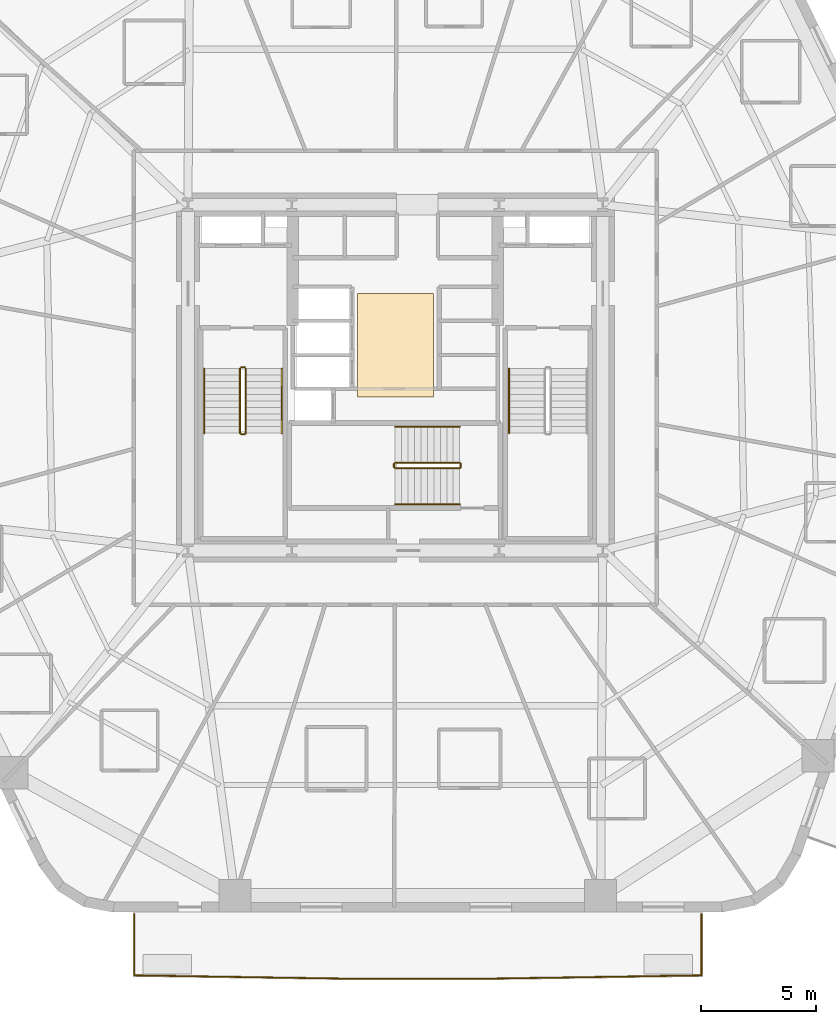
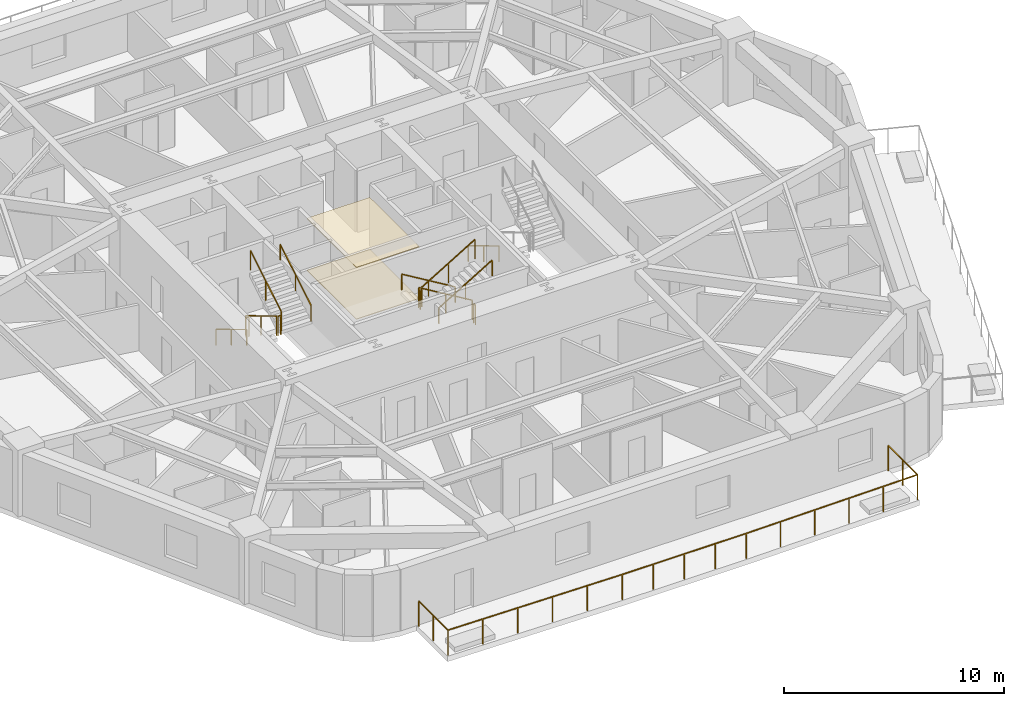
# One storey, part 9 of 11: 14 railings, 2 coverings.
"""IFC4 building model written with IfcOpenShell, lengths in metres."""

from ifc_helpers import new_model, si_unit, direction, frame, origin, origin_2d, place, context, subcontext, project, spatial, polyline, rectangle, outline, extrude, material, layer, layer_set, type_object, element, save


model = new_model("IFC4")

# Units and contexts
model_context = context("Model", 3, precision=1e-05, world=origin(), true_north=direction((0.0, 1.0)))
body_context = subcontext(model_context, "Body", "Model", "MODEL_VIEW")
ifc_project = project(units=[si_unit("LENGTHUNIT", "METRE"), si_unit("AREAUNIT", "SQUARE_METRE"), si_unit("VOLUMEUNIT", "CUBIC_METRE"), si_unit("PLANEANGLEUNIT", "RADIAN"), si_unit("MASSUNIT", "GRAM", prefix="KILO")], contexts=[model_context])

# Site, building, storey
site_placement = place(None, origin())
site = spatial("IfcSite", under=ifc_project, at=site_placement, CompositionType="ELEMENT")
building_placement = place(site_placement, origin())
building = spatial("IfcBuilding", under=site, at=building_placement, Name="Kilnhurst Terrace Hotel", CompositionType="ELEMENT")
storey_placement = place(building_placement, frame((0.0, 0.0, 34.199951171875)))
storey = spatial("IfcBuildingStorey", under=building, at=storey_placement, Name="L06", CompositionType="ELEMENT", Elevation=34.199951171875)

# Coverings
ifc_material_1 = material(Name="Perforated Micro-Acoustic Gypsum and Mineral Wool Ceiling")
ifc_layer_1 = layer(ifc_material_1, 0.050048828125, Name="Perforated Micro-Acoustic Gypsum and Mineral Wool Ceiling")
ifc_layer_set_1 = layer_set([ifc_layer_1], Name="Perforated Micro-Acoustic Gypsum and Mineral Wool Ceiling")
covering_type_1 = type_object("IfcCoveringType", Name="COV-CLG-AC60", PredefinedType="CEILING", material=ifc_layer_set_1)
covering_1_placement = place(storey_placement, frame((0.0, 0.0, 2.85009765625)))
element("IfcCovering", 1, at=covering_1_placement, inside=storey, type_object=covering_type_1, Name="L06 Lift Lobby Suspended Acoustic Ceiling", PredefinedType="CEILING", context=body_context, shape_type="SweptSolid", body=[
    extrude(outline(polyline([(-1.64990234375, -0.85009765625), (1.64990234375, -0.85009765625), (1.64990234375, 3.64990234375), (-1.64990234375, 3.64990234375), (-1.64990234375, -0.85009765625)])), origin(), (0.0, 0.0, 1.0), 0.050048828125),
])
ifc_material_2 = material(Name="Honed Texas Cream Limestone Tile Flooring", Category="masonry")
ifc_layer_2 = layer(ifc_material_2, 0.030029296875, Name="Honed Texas Cream Limestone Tile Flooring")
ifc_layer_set_2 = layer_set([ifc_layer_2], Name="Honed Texas Cream Limestone Tile Flooring")
covering_type_2 = type_object("IfcCoveringType", Name="COV-FLR-STN30", PredefinedType="FLOORING", material=ifc_layer_set_2)
covering_2_placement = place(storey_placement, origin())
element("IfcCovering", 2, at=covering_2_placement, inside=storey, type_object=covering_type_2, Name="L06 Lift Lobby Honed Limestone Flooring", PredefinedType="FLOORING", context=body_context, shape_type="SweptSolid", body=[
    extrude(outline(polyline([(-1.64990234375, -0.85009765625), (1.64990234375, -0.85009765625), (1.64990234375, 3.64990234375), (-1.64990234375, 3.64990234375), (-1.64990234375, -0.85009765625)])), origin(), (0.0, 0.0, 1.0), 0.030029296875),
])

# Railings
ifc_material_3 = material(Name="Laminated SentryGlas and Stainless Steel AISI 316L Balustrade", Category="steel")
ifc_layer_3 = layer(ifc_material_3, 0.070068359375, Name="Laminated SentryGlas and Stainless Steel AISI 316L Balustrade")
ifc_layer_set_3 = layer_set([ifc_layer_3], Name="Laminated SentryGlas and Stainless Steel AISI 316L Balustrade")
railing_type_1 = type_object("IfcRailingType", Name="RLG-BAL-1420", PredefinedType="BALUSTRADE", material=ifc_layer_set_3)
railing_1_placement = place(storey_placement, frame((13.281494140625, -23.280029296875, 0.0)))
element("IfcRailing", 3, at=railing_1_placement, inside=storey, type_object=railing_type_1, Name="L06 Exterior Terrace Guardrail BAL-L1A.1", PredefinedType="BALUSTRADE", context=body_context, shape_type="SweptSolid", body=[
    extrude(rectangle(XDim=0.048095703125, YDim=0.048095703125, at=origin_2d()), frame((0.0, 0.0, 1.39599609375), z_axis=(0.0, -1.0, 0.0), x_axis=(1.0, 0.0, 0.0)), (0.0, 0.0, 1.0), 2.660888671875),
    extrude(rectangle(XDim=0.048095703125, YDim=0.048095703125, at=origin_2d()), frame((0.0, -2.660888671875, 1.39599609375), z_axis=(-0.999881869157, -0.015370352358, 0.0), x_axis=(0.015370352358, -0.999881869157, 0.0)), (0.0, 0.0, 1.0), 9.0537109375),
    extrude(rectangle(XDim=0.048095703125, YDim=0.048095703125, at=origin_2d()), frame((-9.052734375, -2.800048828125, 1.39599609375), z_axis=(-1.0, 0.0, 0.0), x_axis=(0.0, -1.0, 0.0)), (0.0, 0.0, 1.0), 6.508056640625),
    extrude(rectangle(XDim=0.048095703125, YDim=0.048095703125, at=origin_2d()), frame((-15.560791015625, -2.800048828125, 1.39599609375), z_axis=(-0.999881869157, 0.015370352358, 0.0), x_axis=(-0.015370352358, -0.999881869157, 0.0)), (0.0, 0.0, 1.0), 9.0537109375),
    extrude(rectangle(XDim=0.048095703125, YDim=0.048095703125, at=origin_2d()), frame((-24.613525390625, -2.660888671875, 1.39599609375), z_axis=(0.0, 1.0, 0.0), x_axis=(-1.0, 0.0, 0.0)), (0.0, 0.0, 1.0), 2.660888671875),
    extrude(rectangle(XDim=0.0419921875, YDim=0.0419921875, at=origin_2d()), origin(), (0.0, 0.0, 1.0), 1.371826171875),
    extrude(rectangle(XDim=0.0419921875, YDim=0.0419921875, at=origin_2d()), frame((0.0, -1.33056640625, 0.0)), (0.0, 0.0, 1.0), 1.371826171875),
    extrude(rectangle(XDim=0.0419921875, YDim=0.0419921875, at=origin_2d()), frame((0.0, -2.660888671875, 0.0)), (0.0, 0.0, 1.0), 1.371826171875),
    extrude(rectangle(XDim=0.0419921875, YDim=0.0419921875, at=origin_2d()), frame((-1.810546875, -2.688720703125, 0.0)), (0.0, 0.0, 1.0), 1.371826171875),
    extrude(rectangle(XDim=0.0419921875, YDim=0.0419921875, at=origin_2d()), frame((-3.62109375, -2.716552734375, 0.0)), (0.0, 0.0, 1.0), 1.371826171875),
    extrude(rectangle(XDim=0.0419921875, YDim=0.0419921875, at=origin_2d()), frame((-5.431640625, -2.744384765625, 0.0)), (0.0, 0.0, 1.0), 1.371826171875),
    extrude(rectangle(XDim=0.0419921875, YDim=0.0419921875, at=origin_2d()), frame((-7.2421875, -2.772216796875, 0.0)), (0.0, 0.0, 1.0), 1.371826171875),
    extrude(rectangle(XDim=0.0419921875, YDim=0.0419921875, at=origin_2d()), frame((-9.052734375, -2.800048828125, 0.0)), (0.0, 0.0, 1.0), 1.371826171875),
    extrude(rectangle(XDim=0.0419921875, YDim=0.0419921875, at=origin_2d()), frame((-10.6796875, -2.800048828125, 0.0)), (0.0, 0.0, 1.0), 1.371826171875),
    extrude(rectangle(XDim=0.0419921875, YDim=0.0419921875, at=origin_2d()), frame((-12.306640625, -2.800048828125, 0.0)), (0.0, 0.0, 1.0), 1.371826171875),
    extrude(rectangle(XDim=0.0419921875, YDim=0.0419921875, at=origin_2d()), frame((-13.933837890625, -2.800048828125, 0.0)), (0.0, 0.0, 1.0), 1.371826171875),
    extrude(rectangle(XDim=0.0419921875, YDim=0.0419921875, at=origin_2d()), frame((-15.560791015625, -2.800048828125, 0.0)), (0.0, 0.0, 1.0), 1.371826171875),
    extrude(rectangle(XDim=0.0419921875, YDim=0.0419921875, at=origin_2d()), frame((-17.371337890625, -2.772216796875, 0.0)), (0.0, 0.0, 1.0), 1.371826171875),
    extrude(rectangle(XDim=0.0419921875, YDim=0.0419921875, at=origin_2d()), frame((-19.181884765625, -2.744384765625, 0.0)), (0.0, 0.0, 1.0), 1.371826171875),
    extrude(rectangle(XDim=0.0419921875, YDim=0.0419921875, at=origin_2d()), frame((-20.992431640625, -2.716552734375, 0.0)), (0.0, 0.0, 1.0), 1.371826171875),
    extrude(rectangle(XDim=0.0419921875, YDim=0.0419921875, at=origin_2d()), frame((-22.802978515625, -2.688720703125, 0.0)), (0.0, 0.0, 1.0), 1.371826171875),
    extrude(rectangle(XDim=0.0419921875, YDim=0.0419921875, at=origin_2d()), frame((-24.613525390625, -2.660888671875, 0.0)), (0.0, 0.0, 1.0), 1.371826171875),
    extrude(rectangle(XDim=0.0419921875, YDim=0.0419921875, at=origin_2d()), frame((-24.613525390625, -1.33056640625, 0.0)), (0.0, 0.0, 1.0), 1.371826171875),
    extrude(rectangle(XDim=0.0419921875, YDim=0.0419921875, at=origin_2d()), frame((-24.613525390625, 0.0, 0.0)), (0.0, 0.0, 1.0), 1.371826171875),
])
ifc_material_4 = material(Name="Powder-Coated Steel ASTM A500 Grade B", Category="steel")
ifc_layer_4 = layer(ifc_material_4, 0.050048828125, Name="Powder-Coated Steel ASTM A500 Grade B")
ifc_layer_set_4 = layer_set([ifc_layer_4], Name="Powder-Coated Steel ASTM A500 Grade B")
railing_type_2 = type_object("IfcRailingType", Name="RLG-ST-GRD-1100", PredefinedType="GUARDRAIL", material=ifc_layer_set_4)
railing_2_placement = place(storey_placement, frame((-6.739990234375, 0.389892578125, 0.168212890625)))
element("IfcRailing", 4, at=railing_2_placement, inside=storey, type_object=railing_type_2, Name="L06 ST-1 stair guard 1", PredefinedType="GUARDRAIL", context=body_context, shape_type="SweptSolid", body=[
    extrude(rectangle(XDim=0.048095703125, YDim=0.048095703125, at=origin_2d()), frame((0.0, 0.0, 1.076171875), z_axis=(0.0, -0.857222391501, 0.514946377315), x_axis=(1.0, 0.0, 0.0)), (0.0, 0.0, 1.0), 3.26611328125),
    extrude(rectangle(XDim=0.0419921875, YDim=0.0419921875, at=origin_2d()), origin(), (0.0, 0.0, 1.0), 1.052001953125),
    extrude(rectangle(XDim=0.0419921875, YDim=0.0419921875, at=origin_2d()), frame((0.0, -1.39990234375, 0.8408203125)), (0.0, 0.0, 1.0), 1.052001953125),
    extrude(rectangle(XDim=0.0419921875, YDim=0.0419921875, at=origin_2d()), frame((0.0, -2.7998046875, 1.681884765625)), (0.0, 0.0, 1.0), 1.052001953125),
])
railing_3_placement = place(storey_placement, frame((-6.68994140625, -2.4599609375, 1.85009765625)))
element("IfcRailing", 5, at=railing_3_placement, inside=storey, type_object=railing_type_2, Name="L06 ST-1 stair guard 2", PredefinedType="GUARDRAIL", context=body_context, shape_type="SweptSolid", body=[
    extrude(rectangle(XDim=0.048095703125, YDim=0.048095703125, at=origin_2d()), frame((0.0, 0.0, 1.076171875), z_axis=(1.0, 0.0, 0.0), x_axis=(0.0, 1.0, 0.0)), (0.0, 0.0, 1.0), 0.14990234375),
    extrude(rectangle(XDim=0.0419921875, YDim=0.0419921875, at=origin_2d()), origin(), (0.0, 0.0, 1.0), 1.052001953125),
    extrude(rectangle(XDim=0.0419921875, YDim=0.0419921875, at=origin_2d()), frame((0.14990234375, 0.0, 0.0)), (0.0, 0.0, 1.0), 1.052001953125),
])
railing_4_placement = place(storey_placement, frame((-6.489990234375, -2.409912109375, 2.018310546875)))
element("IfcRailing", 6, at=railing_4_placement, inside=storey, type_object=railing_type_2, Name="L06 ST-1 stair guard 3", PredefinedType="GUARDRAIL", context=body_context, shape_type="SweptSolid", body=[
    extrude(rectangle(XDim=0.048095703125, YDim=0.048095703125, at=origin_2d()), frame((0.0, 0.0, 1.076171875), z_axis=(0.0, 0.857255387014, 0.514891446264), x_axis=(-1.0, 0.0, 0.0)), (0.0, 0.0, 1.0), 3.26611328125),
    extrude(rectangle(XDim=0.0419921875, YDim=0.0419921875, at=origin_2d()), origin(), (0.0, 0.0, 1.0), 1.052001953125),
    extrude(rectangle(XDim=0.0419921875, YDim=0.0419921875, at=origin_2d()), frame((0.0, 1.39990234375, 0.8408203125)), (0.0, 0.0, 1.0), 1.052001953125),
    extrude(rectangle(XDim=0.0419921875, YDim=0.0419921875, at=origin_2d()), frame((0.0, 2.7998046875, 1.681640625)), (0.0, 0.0, 1.0), 1.052001953125),
])
railing_5_placement = place(storey_placement, frame((-6.68994140625, 0.43994140625, 0.0)))
element("IfcRailing", 7, at=railing_5_placement, inside=storey, type_object=railing_type_2, Name="L06 ST-1 stair guard 4", PredefinedType="GUARDRAIL", context=body_context, shape_type="SweptSolid", body=[
    extrude(rectangle(XDim=0.048095703125, YDim=0.048095703125, at=origin_2d()), frame((0.0, 0.0, 1.076171875), z_axis=(1.0, 0.0, 0.0), x_axis=(0.0, 1.0, 0.0)), (0.0, 0.0, 1.0), 0.14990234375),
    extrude(rectangle(XDim=0.0419921875, YDim=0.0419921875, at=origin_2d()), origin(), (0.0, 0.0, 1.0), 1.052001953125),
    extrude(rectangle(XDim=0.0419921875, YDim=0.0419921875, at=origin_2d()), frame((0.14990234375, 0.0, 0.0)), (0.0, 0.0, 1.0), 1.052001953125),
])
railing_6_placement = place(storey_placement, frame((2.7900390625, -3.68994140625, 0.168212890625)))
element("IfcRailing", 8, at=railing_6_placement, inside=storey, type_object=railing_type_2, Name="L06 ST-3 stair guard 1", PredefinedType="GUARDRAIL", context=body_context, shape_type="SweptSolid", body=[
    extrude(rectangle(XDim=0.048095703125, YDim=0.048095703125, at=origin_2d()), frame((0.0, 0.0, 1.076171875), z_axis=(-0.857242210791, 0.0, 0.514913383045), x_axis=(0.0, -1.0, 0.0)), (0.0, 0.0, 1.0), 3.266357421875),
    extrude(rectangle(XDim=0.0419921875, YDim=0.0419921875, at=origin_2d()), origin(), (0.0, 0.0, 1.0), 1.052001953125),
    extrude(rectangle(XDim=0.0419921875, YDim=0.0419921875, at=origin_2d()), frame((-1.39990234375, 0.0, 0.8408203125)), (0.0, 0.0, 1.0), 1.052001953125),
    extrude(rectangle(XDim=0.0419921875, YDim=0.0419921875, at=origin_2d()), frame((-2.800048828125, 0.0, 1.681884765625)), (0.0, 0.0, 1.0), 1.052001953125),
])
railing_7_placement = place(storey_placement, frame((-0.06005859375, -3.739990234375, 1.85009765625)))
element("IfcRailing", 9, at=railing_7_placement, inside=storey, type_object=railing_type_2, Name="L06 ST-3 stair guard 2", PredefinedType="GUARDRAIL", context=body_context, shape_type="SweptSolid", body=[
    extrude(rectangle(XDim=0.048095703125, YDim=0.048095703125, at=origin_2d()), frame((0.0, 0.0, 1.076171875), z_axis=(0.0, -1.0, 0.0), x_axis=(1.0, 0.0, 0.0)), (0.0, 0.0, 1.0), 0.14990234375),
    extrude(rectangle(XDim=0.0419921875, YDim=0.0419921875, at=origin_2d()), origin(), (0.0, 0.0, 1.0), 1.052001953125),
    extrude(rectangle(XDim=0.0419921875, YDim=0.0419921875, at=origin_2d()), frame((0.0, -0.14990234375, 0.0)), (0.0, 0.0, 1.0), 1.052001953125),
])
railing_8_placement = place(storey_placement, frame((-0.010009765625, -3.93994140625, 2.018310546875)))
element("IfcRailing", 10, at=railing_8_placement, inside=storey, type_object=railing_type_2, Name="L06 ST-3 stair guard 3", PredefinedType="GUARDRAIL", context=body_context, shape_type="SweptSolid", body=[
    extrude(rectangle(XDim=0.048095703125, YDim=0.048095703125, at=origin_2d()), frame((0.0, 0.0, 1.076171875), z_axis=(0.857275202839, 0.0, 0.514858452973), x_axis=(0.0, 1.0, 0.0)), (0.0, 0.0, 1.0), 3.26611328125),
    extrude(rectangle(XDim=0.0419921875, YDim=0.0419921875, at=origin_2d()), origin(), (0.0, 0.0, 1.0), 1.052001953125),
    extrude(rectangle(XDim=0.0419921875, YDim=0.0419921875, at=origin_2d()), frame((1.39990234375, 0.0, 0.8408203125)), (0.0, 0.0, 1.0), 1.052001953125),
    extrude(rectangle(XDim=0.0419921875, YDim=0.0419921875, at=origin_2d()), frame((2.800048828125, 0.0, 1.681640625)), (0.0, 0.0, 1.0), 1.052001953125),
])
railing_9_placement = place(storey_placement, frame((2.840087890625, -3.739990234375, 0.0)))
element("IfcRailing", 11, at=railing_9_placement, inside=storey, type_object=railing_type_2, Name="L06 ST-3 stair guard 4", PredefinedType="GUARDRAIL", context=body_context, shape_type="SweptSolid", body=[
    extrude(rectangle(XDim=0.048095703125, YDim=0.048095703125, at=origin_2d()), frame((0.0, 0.0, 1.076171875), z_axis=(0.0, -1.0, 0.0), x_axis=(1.0, 0.0, 0.0)), (0.0, 0.0, 1.0), 0.14990234375),
    extrude(rectangle(XDim=0.0419921875, YDim=0.0419921875, at=origin_2d()), origin(), (0.0, 0.0, 1.0), 1.052001953125),
    extrude(rectangle(XDim=0.0419921875, YDim=0.0419921875, at=origin_2d()), frame((0.0, -0.14990234375, 0.0)), (0.0, 0.0, 1.0), 1.052001953125),
])
ifc_material_5 = material(Name="Brushed Stainless Steel AISI 304", Category="steel")
ifc_layer_5 = layer(ifc_material_5, 0.048095703125, Name="Brushed Stainless Steel AISI 304")
ifc_layer_set_5 = layer_set([ifc_layer_5], Name="Brushed Stainless Steel AISI 304")
railing_type_3 = type_object("IfcRailingType", Name="RLG-ST-HRL-900", PredefinedType="HANDRAIL", material=ifc_layer_set_5)
railing_10_placement = place(storey_placement, frame((-8.300048828125, 0.389892578125, 0.168212890625)))
element("IfcRailing", 12, at=railing_10_placement, inside=storey, type_object=railing_type_3, Name="L06 ST-1 stair handrail 1", PredefinedType="HANDRAIL", context=body_context, shape_type="SweptSolid", body=[
    extrude(rectangle(XDim=0.048095703125, YDim=0.048095703125, at=origin_2d()), frame((0.0, 0.0, 0.8759765625), z_axis=(0.0, -0.857222391501, 0.514946377315), x_axis=(1.0, 0.0, 0.0)), (0.0, 0.0, 1.0), 3.26611328125),
    extrude(rectangle(XDim=0.0419921875, YDim=0.0419921875, at=origin_2d()), origin(), (0.0, 0.0, 1.0), 0.851806640625),
    extrude(rectangle(XDim=0.0419921875, YDim=0.0419921875, at=origin_2d()), frame((0.0, -1.39990234375, 0.8408203125)), (0.0, 0.0, 1.0), 0.851806640625),
    extrude(rectangle(XDim=0.0419921875, YDim=0.0419921875, at=origin_2d()), frame((0.0, -2.7998046875, 1.681884765625)), (0.0, 0.0, 1.0), 0.851806640625),
])
railing_11_placement = place(storey_placement, frame((-4.929931640625, -2.409912109375, 2.018310546875)))
element("IfcRailing", 13, at=railing_11_placement, inside=storey, type_object=railing_type_3, Name="L06 ST-1 stair handrail 2", PredefinedType="HANDRAIL", context=body_context, shape_type="SweptSolid", body=[
    extrude(rectangle(XDim=0.048095703125, YDim=0.048095703125, at=origin_2d()), frame((0.0, 0.0, 0.8759765625), z_axis=(0.0, 0.857255387014, 0.514891446264), x_axis=(-1.0, 0.0, 0.0)), (0.0, 0.0, 1.0), 3.26611328125),
    extrude(rectangle(XDim=0.0419921875, YDim=0.0419921875, at=origin_2d()), origin(), (0.0, 0.0, 1.0), 0.851806640625),
    extrude(rectangle(XDim=0.0419921875, YDim=0.0419921875, at=origin_2d()), frame((0.0, 1.39990234375, 0.8408203125)), (0.0, 0.0, 1.0), 0.851806640625),
    extrude(rectangle(XDim=0.0419921875, YDim=0.0419921875, at=origin_2d()), frame((0.0, 2.7998046875, 1.681640625)), (0.0, 0.0, 1.0), 0.851806640625),
])
railing_12_placement = place(storey_placement, frame((4.929931640625, 0.389892578125, 0.168212890625)))
element("IfcRailing", 14, at=railing_12_placement, inside=storey, type_object=railing_type_3, Name="L06 ST-2 stair handrail 1", PredefinedType="HANDRAIL", context=body_context, shape_type="SweptSolid", body=[
    extrude(rectangle(XDim=0.048095703125, YDim=0.048095703125, at=origin_2d()), frame((0.0, 0.0, 0.8759765625), z_axis=(0.0, -0.857222391501, 0.514946377315), x_axis=(1.0, 0.0, 0.0)), (0.0, 0.0, 1.0), 3.26611328125),
    extrude(rectangle(XDim=0.0419921875, YDim=0.0419921875, at=origin_2d()), origin(), (0.0, 0.0, 1.0), 0.851806640625),
    extrude(rectangle(XDim=0.0419921875, YDim=0.0419921875, at=origin_2d()), frame((0.0, -1.39990234375, 0.8408203125)), (0.0, 0.0, 1.0), 0.851806640625),
    extrude(rectangle(XDim=0.0419921875, YDim=0.0419921875, at=origin_2d()), frame((0.0, -2.7998046875, 1.681884765625)), (0.0, 0.0, 1.0), 0.851806640625),
])
railing_13_placement = place(storey_placement, frame((2.7900390625, -2.1298828125, 0.168212890625)))
element("IfcRailing", 15, at=railing_13_placement, inside=storey, type_object=railing_type_3, Name="L06 ST-3 stair handrail 1", PredefinedType="HANDRAIL", context=body_context, shape_type="SweptSolid", body=[
    extrude(rectangle(XDim=0.048095703125, YDim=0.048095703125, at=origin_2d()), frame((0.0, 0.0, 0.8759765625), z_axis=(-0.857242210791, 0.0, 0.514913383045), x_axis=(0.0, -1.0, 0.0)), (0.0, 0.0, 1.0), 3.266357421875),
    extrude(rectangle(XDim=0.0419921875, YDim=0.0419921875, at=origin_2d()), origin(), (0.0, 0.0, 1.0), 0.851806640625),
    extrude(rectangle(XDim=0.0419921875, YDim=0.0419921875, at=origin_2d()), frame((-1.39990234375, 0.0, 0.8408203125)), (0.0, 0.0, 1.0), 0.851806640625),
    extrude(rectangle(XDim=0.0419921875, YDim=0.0419921875, at=origin_2d()), frame((-2.800048828125, 0.0, 1.681884765625)), (0.0, 0.0, 1.0), 0.851806640625),
])
railing_14_placement = place(storey_placement, frame((-0.010009765625, -5.5, 2.018310546875)))
element("IfcRailing", 16, at=railing_14_placement, inside=storey, type_object=railing_type_3, Name="L06 ST-3 stair handrail 2", PredefinedType="HANDRAIL", context=body_context, shape_type="SweptSolid", body=[
    extrude(rectangle(XDim=0.048095703125, YDim=0.048095703125, at=origin_2d()), frame((0.0, 0.0, 0.8759765625), z_axis=(0.857275202839, 0.0, 0.514858452973), x_axis=(0.0, 1.0, 0.0)), (0.0, 0.0, 1.0), 3.26611328125),
    extrude(rectangle(XDim=0.0419921875, YDim=0.0419921875, at=origin_2d()), origin(), (0.0, 0.0, 1.0), 0.851806640625),
    extrude(rectangle(XDim=0.0419921875, YDim=0.0419921875, at=origin_2d()), frame((1.39990234375, 0.0, 0.8408203125)), (0.0, 0.0, 1.0), 0.851806640625),
    extrude(rectangle(XDim=0.0419921875, YDim=0.0419921875, at=origin_2d()), frame((2.800048828125, 0.0, 1.681640625)), (0.0, 0.0, 1.0), 0.851806640625),
])

save(model, "model.ifc")
